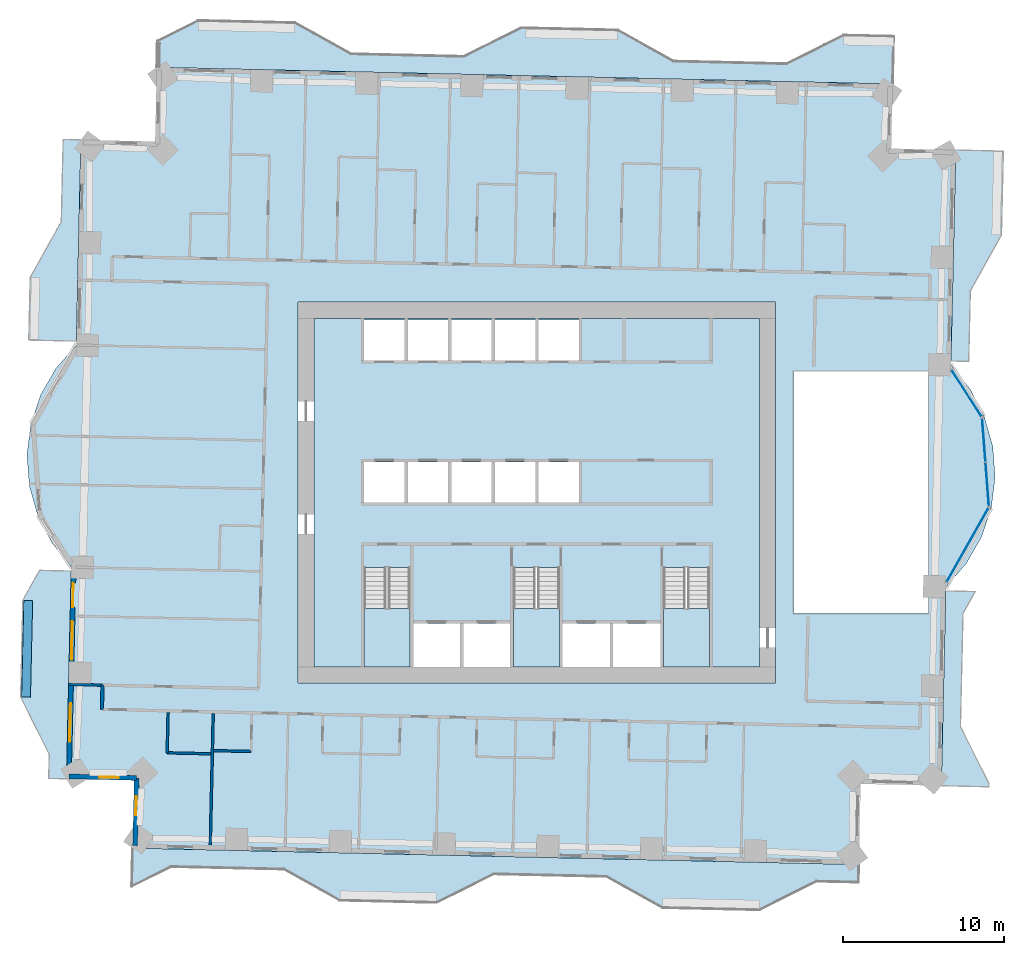
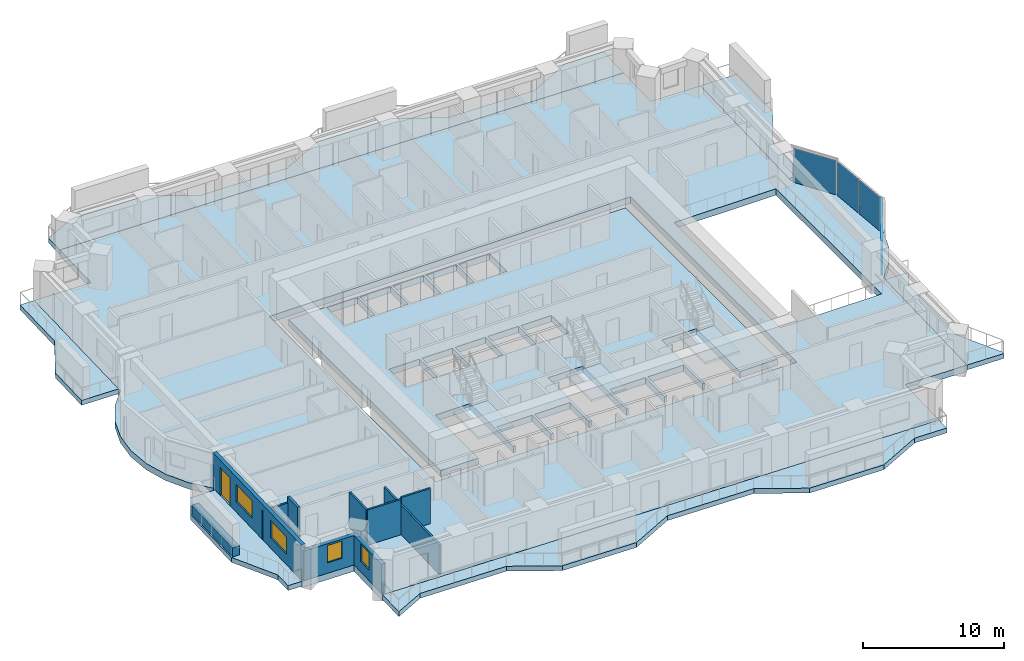
# One storey, part 5 of 16: 11 slabs, 10 walls, 4 plates, 4 windows, 1 door, 5 openings, 6 elements without a shape of their own.
"""IFC4 building model written with IfcOpenShell, lengths in metres."""

from ifc_helpers import new_model, si_unit, direction, frame, frame_2d, origin, origin_2d, place, context, subcontext, project, spatial, polyline, rectangle, outline, extrude, material, layer, layer_set, type_object, element, fill, aggregate, save


model = new_model("IFC4")

# Units and contexts
model_context = context("Model", 3, precision=1e-05, world=origin(), true_north=direction((0.0, 1.0)))
body_context = subcontext(model_context, "Body", "Model", "MODEL_VIEW")
ifc_project = project(units=[si_unit("LENGTHUNIT", "METRE"), si_unit("AREAUNIT", "SQUARE_METRE"), si_unit("VOLUMEUNIT", "CUBIC_METRE"), si_unit("PLANEANGLEUNIT", "RADIAN"), si_unit("MASSUNIT", "GRAM", prefix="KILO")], contexts=[model_context])

# Site, building, storey
site_placement = place(None, origin())
site = spatial("IfcSite", under=ifc_project, at=site_placement, CompositionType="ELEMENT")
building_placement = place(site_placement, origin())
building = spatial("IfcBuilding", under=site, at=building_placement, Name="Mangrove Gate Tower", CompositionType="ELEMENT")
storey_placement = place(building_placement, frame((0.0, 0.0, 101.89990234375)))
storey = spatial("IfcBuildingStorey", under=building, at=storey_placement, Name="L25", CompositionType="ELEMENT", Elevation=101.89990234375)

# Curtain wall, plate
ifc_material_1 = material(Name="Aluminium and glass curtain wall", Category="aluminium")
curtain_wall_type = type_object("IfcCurtainWallType", Name="Atrium garden-court glazing wall", PredefinedType="NOTDEFINED", material=ifc_material_1)
curtain_wall_1_placement = place(storey_placement, origin())
curtain_wall_1 = element("IfcCurtainWall", 1, at=curtain_wall_1_placement, inside=storey, type_object=curtain_wall_type, Name="Atrium garden-court glazing E1f1", PredefinedType="NOTDEFINED")
ifc_material_2 = material(Name="Laminated low-e glass", Category="glass")
ifc_layer_1 = layer(ifc_material_2, 0.031982421875)
ifc_layer_set_1 = layer_set([ifc_layer_1], Name="Atrium garden-court glazing panel 32")
plate_type = type_object("IfcPlateType", Name="Atrium garden-court glazing panel 32", PredefinedType="CURTAIN_PANEL", material=ifc_layer_set_1)
plate_1_placement = place(storey_placement, frame((26.68603515625, -3.244873046875, 0.0), z_axis=(0.0, 0.0, 1.0), x_axis=(0.492584614745, 0.870264555935, 0.0)))
plate_1 = element("IfcPlate", 2, at=plate_1_placement, type_object=plate_type, Name="CWA panel 1.1", PredefinedType="CURTAIN_PANEL", context=body_context, shape_type="SweptSolid", body=[
    extrude(rectangle(XDim=5.258056640625, YDim=0.031982421875, at=origin_2d()), origin(), (0.0, 0.0, 1.0), 2.97998046875),
])
aggregate(curtain_wall_1, [plate_1])

# Curtain wall, plates
curtain_wall_2_placement = place(storey_placement, origin())
curtain_wall_2 = element("IfcCurtainWall", 3, at=curtain_wall_2_placement, inside=storey, type_object=curtain_wall_type, Name="Atrium garden-court glazing E1f2", PredefinedType="NOTDEFINED")
plate_2_placement = place(storey_placement, frame((27.906982421875, 0.5107421875, 0.0), z_axis=(0.0, 0.0, 1.0), x_axis=(-0.077023348229, 0.997029289353, 0.0)))
plate_2 = element("IfcPlate", 4, at=plate_2_placement, type_object=plate_type, Name="CWA panel 1.1", PredefinedType="CURTAIN_PANEL", context=body_context, shape_type="SweptSolid", body=[
    extrude(rectangle(XDim=2.681640625, YDim=0.031982421875, at=origin_2d()), origin(), (0.0, 0.0, 1.0), 2.97998046875),
])
plate_3_placement = place(storey_placement, frame((27.69482421875, 3.25439453125, 0.0), z_axis=(0.0, 0.0, 1.0), x_axis=(-0.077023348229, 0.997029289353, 0.0)))
plate_3 = element("IfcPlate", 5, at=plate_3_placement, type_object=plate_type, Name="CWA panel 2.1", PredefinedType="CURTAIN_PANEL", context=body_context, shape_type="SweptSolid", body=[
    extrude(rectangle(XDim=2.681640625, YDim=0.031982421875, at=origin_2d()), origin(), (0.0, 0.0, 1.0), 2.97998046875),
])
aggregate(curtain_wall_2, [plate_2, plate_3])

# Curtain wall, plate
curtain_wall_3_placement = place(storey_placement, origin())
curtain_wall_3 = element("IfcCurtainWall", 6, at=curtain_wall_3_placement, inside=storey, type_object=curtain_wall_type, Name="Atrium garden-court glazing E1f3", PredefinedType="NOTDEFINED")
plate_4_placement = place(storey_placement, frame((26.621826171875, 6.162109375, 0.0), z_axis=(0.0, 0.0, 1.0), x_axis=(-0.540510523896, 0.841337253162, 0.0)))
plate_4 = element("IfcPlate", 7, at=plate_4_placement, type_object=plate_type, Name="CWA panel 1.1", PredefinedType="CURTAIN_PANEL", context=body_context, shape_type="SweptSolid", body=[
    extrude(rectangle(XDim=3.428466796875, YDim=0.031982421875, at=origin_2d()), origin(), (0.0, 0.0, 1.0), 2.97998046875),
])
aggregate(curtain_wall_3, [plate_4])

# Slabs
ifc_material_3 = material(Name="Porcelain tile")
ifc_layer_2 = layer(ifc_material_3, 0.02001953125, Name="Tile finish")
ifc_material_4 = material(Name="Cement sand screed")
ifc_layer_3 = layer(ifc_material_4, 0.0400390625, Name="Screed laid to falls")
ifc_material_5 = material(Name="Bituminous waterproofing membrane")
ifc_layer_4 = layer(ifc_material_5, 0.00390625, Name="Waterproofing")
ifc_material_6 = material(Name="Concrete C40/50", Category="concrete")
ifc_layer_5 = layer(ifc_material_6, 0.340087890625, Name="Balcony structural slab")
ifc_material_7 = material(Name="Limestone", Category="masonry")
ifc_layer_6 = layer(ifc_material_7, 0.01611328125, Name="Soffit lining")
ifc_layer_set_2 = layer_set([ifc_layer_2, ifc_layer_3, ifc_layer_4, ifc_layer_5, ifc_layer_6], Name="Balcony slab 420 C40/50")
slab_type_1 = type_object("IfcSlabType", Name="Balcony slab 420 C40/50", PredefinedType="FLOOR", material=ifc_layer_set_2)
slab_1_placement = place(storey_placement, frame((0.0, 0.0, -0.419921875)))
element("IfcSlab", 8, at=slab_1_placement, inside=storey, type_object=slab_type_1, Name="BALCONY L25 E0", PredefinedType="FLOOR", context=body_context, shape_type="SweptSolid", body=[
    extrude(outline(polyline([(28.051025390625, -18.22802734375), (28.054931640625, -18.028076171875), (26.284912109375, -14.487060546875), (26.444091796875, -7.489013671875), (27.201904296875, -6.131103515625), (25.3349609375, -6.087890625), (25.303955078125, -7.462890625), (25.14501953125, -14.4609375), (25.06591796875, -17.9599609375), (25.06103515625, -18.159912109375), (28.051025390625, -18.22802734375)])), origin(), (0.0, 0.0, 1.0), 0.419921875),
])
slab_2_placement = place(storey_placement, frame((0.0, 0.0, -0.419921875)))
element("IfcSlab", 9, at=slab_2_placement, inside=storey, type_object=slab_type_1, Name="BALCONY L25 E1", PredefinedType="FLOOR", context=body_context, shape_type="SweptSolid", body=[
    extrude(outline(polyline([(26.798095703125, 8.133056640625), (26.89794921875, 12.506103515625), (28.826904296875, 15.962890625), (28.945068359375, 21.162109375), (25.955078125, 21.22998046875), (25.8369140625, 16.031005859375), (25.758056640625, 12.531982421875), (25.658935546875, 8.158935546875), (26.798095703125, 8.133056640625)])), origin(), (0.0, 0.0, 1.0), 0.419921875),
])
slab_3_placement = place(storey_placement, frame((0.0, 0.0, -0.419921875)))
element("IfcSlab", 10, at=slab_3_placement, inside=storey, type_object=slab_type_1, Name="BALCONY L25 N0", PredefinedType="FLOOR", context=body_context, shape_type="SweptSolid", body=[
    extrude(outline(polyline([(22.114990234375, 28.30908203125), (19.011962890625, 28.37890625), (15.470947265625, 26.60888671875), (8.471923828125, 26.76806640625), (5.014892578125, 28.697021484375), (-0.98291015625, 28.8330078125), (-4.52392578125, 27.06396484375), (-11.52197265625, 27.221923828125), (-14.97998046875, 29.15087890625), (-20.97802734375, 29.287109375), (-23.510986328125, 28.02001953125), (-23.549072265625, 26.35400390625), (22.047119140625, 25.320068359375), (22.114990234375, 28.30908203125)])), origin(), (0.0, 0.0, 1.0), 0.419921875),
])
slab_4_placement = place(storey_placement, frame((0.0, 0.0, -0.419921875)))
element("IfcSlab", 11, at=slab_4_placement, inside=storey, type_object=slab_type_1, Name="BALCONY L25 W0", PredefinedType="FLOOR", context=body_context, shape_type="SweptSolid", body=[
    extrude(outline(polyline([(-29.39208984375, 21.885986328125), (-29.508056640625, 16.787109375), (-31.43701171875, 13.330078125), (-31.52490234375, 9.4560546875), (-28.534912109375, 9.387939453125), (-28.447021484375, 13.261962890625), (-28.367919921875, 16.760986328125), (-28.251953125, 21.860107421875), (-29.39208984375, 21.885986328125)])), origin(), (0.0, 0.0, 1.0), 0.419921875),
])
slab_5_placement = place(storey_placement, frame((0.0, 0.0, -0.419921875)))
element("IfcSlab", 12, at=slab_5_placement, inside=storey, type_object=slab_type_1, Name="BALCONY L25 W1", PredefinedType="FLOOR", context=body_context, shape_type="SweptSolid", body=[
    extrude(outline(polyline([(-30.85693359375, -4.81298828125), (-31.889892578125, -6.6650390625), (-32.027099609375, -12.6630859375), (-30.256103515625, -16.2041015625), (-30.2900390625, -17.7041015625), (-29.15087890625, -17.72998046875), (-29.116943359375, -16.22998046875), (-29.037109375, -12.73095703125), (-28.90087890625, -6.73291015625), (-28.85888671875, -4.85888671875), (-30.85693359375, -4.81298828125)])), origin(), (0.0, 0.0, 1.0), 0.419921875),
])
slab_6_placement = place(storey_placement, frame((0.0, 0.0, -0.419921875)))
element("IfcSlab", 13, at=slab_6_placement, inside=storey, type_object=slab_type_1, Name="BALCONY L25 S0", PredefinedType="FLOOR", context=body_context, shape_type="SweptSolid", body=[
    extrude(outline(polyline([(-25.10205078125, -24.43408203125), (-22.669921875, -23.218017578125), (-15.6708984375, -23.376953125), (-12.214111328125, -25.305908203125), (-6.216064453125, -25.44189453125), (-2.675048828125, -23.672119140625), (4.322998046875, -23.8310546875), (7.781005859375, -25.760009765625), (13.779052734375, -25.89599609375), (17.320068359375, -24.126953125), (19.923095703125, -24.18505859375), (19.948974609375, -23.044921875), (-25.047119140625, -22.02392578125), (-25.10205078125, -24.43408203125)])), origin(), (0.0, 0.0, 1.0), 0.419921875),
])
ifc_material_8 = material(Name="Concrete C40/50", Category="concrete")
ifc_layer_7 = layer(ifc_material_8, 0.550048828125)
ifc_layer_set_3 = layer_set([ifc_layer_7], Name="Core floor slab 550 C40/50")
slab_type_2 = type_object("IfcSlabType", Name="Core floor slab 550 C40/50", PredefinedType="FLOOR", material=ifc_layer_set_3)
slab_7_placement = place(storey_placement, frame((0.0, 0.0, -0.5498046875)))
element("IfcSlab", 14, at=slab_7_placement, inside=storey, type_object=slab_type_2, Name="SLAB-L25-CORE-1", PredefinedType="FLOOR", context=body_context, shape_type="SweptSolid", body=[
    extrude(outline(polyline([(-13.800048828125, -10.800048828125), (-13.800048828125, 10.800048828125), (13.800048828125, 10.800048828125), (13.800048828125, -10.800048828125), (10.699951171875, -10.800048828125), (10.699951171875, -4.653076171875), (7.85009765625, -4.653076171875), (7.85009765625, -10.800048828125), (7.64990234375, -10.800048828125), (7.64990234375, -8.10009765625), (4.72509765625, -8.10009765625), (4.72509765625, -10.800048828125), (4.52490234375, -10.800048828125), (4.52490234375, -8.10009765625), (1.60009765625, -8.10009765625), (1.60009765625, -10.800048828125), (1.39990234375, -10.800048828125), (1.39990234375, -4.653076171875), (-1.449951171875, -4.653076171875), (-1.449951171875, -10.800048828125), (-1.64990234375, -10.800048828125), (-1.64990234375, -8.10009765625), (-4.550048828125, -8.10009765625), (-4.550048828125, -10.800048828125), (-4.75, -10.800048828125), (-4.75, -8.10009765625), (-7.64990234375, -8.10009765625), (-7.64990234375, -10.800048828125), (-7.85009765625, -10.800048828125), (-7.85009765625, -4.653076171875), (-10.699951171875, -4.653076171875), (-10.699951171875, -10.800048828125), (-13.800048828125, -10.800048828125)]), holes=[polyline([(-8.199951171875, -0.60009765625), (-8.199951171875, 1.89990234375), (-10.699951171875, 1.89990234375), (-10.699951171875, -0.60009765625), (-8.199951171875, -0.60009765625)]), polyline([(-5.5, -0.60009765625), (-5.5, 1.89990234375), (-8.0, 1.89990234375), (-8.0, -0.60009765625), (-5.5, -0.60009765625)]), polyline([(-2.800048828125, -0.60009765625), (-2.800048828125, 1.89990234375), (-5.300048828125, 1.89990234375), (-5.300048828125, -0.60009765625), (-2.800048828125, -0.60009765625)]), polyline([(-8.199951171875, 8.199951171875), (-8.199951171875, 10.699951171875), (-10.699951171875, 10.699951171875), (-10.699951171875, 8.199951171875), (-8.199951171875, 8.199951171875)]), polyline([(-5.5, 8.199951171875), (-5.5, 10.699951171875), (-8.0, 10.699951171875), (-8.0, 8.199951171875), (-5.5, 8.199951171875)]), polyline([(-2.800048828125, 8.199951171875), (-2.800048828125, 10.699951171875), (-5.300048828125, 10.699951171875), (-5.300048828125, 8.199951171875), (-2.800048828125, 8.199951171875)]), polyline([(-0.10009765625, -0.60009765625), (-0.10009765625, 1.89990234375), (-2.60009765625, 1.89990234375), (-2.60009765625, -0.60009765625), (-0.10009765625, -0.60009765625)]), polyline([(2.60009765625, -0.60009765625), (2.60009765625, 1.89990234375), (0.10009765625, 1.89990234375), (0.10009765625, -0.60009765625), (2.60009765625, -0.60009765625)]), polyline([(-2.60009765625, 8.199951171875), (-0.10009765625, 8.199951171875), (-0.10009765625, 10.699951171875), (-2.60009765625, 10.699951171875), (-2.60009765625, 8.199951171875)]), polyline([(0.10009765625, 8.199951171875), (2.60009765625, 8.199951171875), (2.60009765625, 10.699951171875), (0.10009765625, 10.699951171875), (0.10009765625, 8.199951171875)])]), origin(), (0.0, 0.0, 1.0), 0.5498046875),
])

# Stair, slab
ifc_material_9 = material(Name="Concrete C40/50", Category="concrete")
stair_type = type_object("IfcStairType", Name="Core stair 1350", PredefinedType="HALF_TURN_STAIR", material=ifc_material_9)
stair_1_placement = place(storey_placement, origin())
stair_1 = element("IfcStair", 15, at=stair_1_placement, inside=storey, type_object=stair_type, Name="L25 Stair 1", PredefinedType="HALF_TURN_STAIR")
ifc_material_10 = material(Name="Concrete C40/50", Category="concrete")
ifc_layer_8 = layer(ifc_material_10, 0.199951171875)
ifc_layer_set_4 = layer_set([ifc_layer_8], Name="Core stair landing 200")
slab_type_3 = type_object("IfcSlabType", Name="Core stair landing 200", PredefinedType="LANDING", material=ifc_layer_set_4)
slab_8_placement = place(storey_placement, frame((0.0, 0.0, 1.60009765625)))
slab_8 = element("IfcSlab", 16, at=slab_8_placement, type_object=slab_type_3, Name="ST1 landing 1", PredefinedType="LANDING", context=body_context, shape_type="SweptSolid", body=[
    extrude(outline(polyline([(-10.699951171875, -7.169921875), (-10.699951171875, -10.800048828125), (-7.85009765625, -10.800048828125), (-7.85009765625, -7.169921875), (-10.699951171875, -7.169921875)])), origin(), (0.0, 0.0, 1.0), 0.199951171875),
])
aggregate(stair_1, [slab_8])

stair_2_placement = place(storey_placement, origin())
stair_2 = element("IfcStair", 17, at=stair_2_placement, inside=storey, type_object=stair_type, Name="L25 Stair 2", PredefinedType="HALF_TURN_STAIR")
slab_9_placement = place(storey_placement, frame((0.0, 0.0, 1.60009765625)))
slab_9 = element("IfcSlab", 18, at=slab_9_placement, type_object=slab_type_3, Name="ST2 landing 1", PredefinedType="LANDING", context=body_context, shape_type="SweptSolid", body=[
    extrude(outline(polyline([(-1.449951171875, -7.169921875), (-1.449951171875, -10.800048828125), (1.39990234375, -10.800048828125), (1.39990234375, -7.169921875), (-1.449951171875, -7.169921875)])), origin(), (0.0, 0.0, 1.0), 0.199951171875),
])
aggregate(stair_2, [slab_9])

stair_3_placement = place(storey_placement, origin())
stair_3 = element("IfcStair", 19, at=stair_3_placement, inside=storey, type_object=stair_type, Name="L25 Stair 3", PredefinedType="HALF_TURN_STAIR")
slab_10_placement = place(storey_placement, frame((0.0, 0.0, 1.60009765625)))
slab_10 = element("IfcSlab", 20, at=slab_10_placement, type_object=slab_type_3, Name="ST3 landing 1", PredefinedType="LANDING", context=body_context, shape_type="SweptSolid", body=[
    extrude(outline(polyline([(7.85009765625, -7.169921875), (7.85009765625, -10.800048828125), (10.699951171875, -10.800048828125), (10.699951171875, -7.169921875), (7.85009765625, -7.169921875)])), origin(), (0.0, 0.0, 1.0), 0.199951171875),
])
aggregate(stair_3, [slab_10])

# Slab
ifc_material_11 = material(Name="Concrete C40/50", Category="concrete")
ifc_layer_9 = layer(ifc_material_11, 0.550048828125)
ifc_layer_set_5 = layer_set([ifc_layer_9], Name="Floor slab 550 C40/50")
slab_type_4 = type_object("IfcSlabType", Name="Floor slab 550 C40/50", PredefinedType="FLOOR", material=ifc_layer_set_5)
slab_11_placement = place(storey_placement, frame((0.0, 0.0, -0.5498046875)))
element("IfcSlab", 21, at=slab_11_placement, inside=storey, type_object=slab_type_4, Name="Floor slab L25", PredefinedType="FLOOR", context=body_context, shape_type="SweptSolid", body=[
    extrude(outline(polyline([(-25.047119140625, -22.024169921875), (19.94921875, -23.045166015625), (20.062744140625, -18.046630859375), (25.0615234375, -18.159912109375), (25.341064453125, -5.83837890625), (26.60400390625, -4.40185546875), (27.55712890625, -2.74365234375), (28.16259765625, -0.92919921875), (28.396240234375, 0.96923828125), (28.2490234375, 2.87646484375), (27.7265625, 4.71630859375), (26.849609375, 6.416259765625), (25.653076171875, 7.90869140625), (25.955322265625, 21.22998046875), (21.956298828125, 21.320556640625), (22.047119140625, 25.319580078125), (-23.549072265625, 26.354248046875), (-23.653564453125, 21.755615234375), (-28.25244140625, 21.85986328125), (-28.541015625, 9.138427734375), (-29.803955078125, 7.701904296875), (-30.757080078125, 6.043701171875), (-31.362548828125, 4.229248046875), (-31.59619140625, 2.330810546875), (-31.448974609375, 0.423583984375), (-30.926513671875, -1.41650390625), (-30.049560546875, -3.1162109375), (-28.85302734375, -4.608642578125), (-29.15087890625, -17.72998046875), (-24.951904296875, -17.8251953125), (-25.047119140625, -22.024169921875)]), holes=[polyline([(15.89990234375, 7.5), (24.22705078125, 7.5), (24.22705078125, -7.5), (15.89990234375, -7.5), (15.89990234375, 7.5)]), polyline([(-14.800048828125, -11.800048828125), (-14.800048828125, 11.800048828125), (14.800048828125, 11.800048828125), (14.800048828125, -11.800048828125), (-14.800048828125, -11.800048828125)])]), origin(), (0.0, 0.0, 1.0), 0.5498046875),
])

# Wall
ifc_material_12 = material(Name="Gypsum board on steel stud, EI 60", Category="steel")
ifc_layer_10 = layer(ifc_material_12, 0.199951171875)
ifc_layer_set_6 = layer_set([ifc_layer_10], Name="Corridor wall EI 60")
wall_type_1 = type_object("IfcWallType", Name="Corridor wall EI 60", PredefinedType="PARTITIONING", material=ifc_layer_set_6)
wall_1_placement = place(storey_placement, frame((-26.948974609375, -13.428955078125, 0.0), z_axis=(0.0, 0.0, 1.0), x_axis=(0.022617910375, 0.999744182344, 0.0)))
element("IfcWall", 22, at=wall_1_placement, inside=storey, type_object=wall_type_1, Name="WALL-L25-023", PredefinedType="PARTITIONING", context=body_context, shape_type="SweptSolid", body=[
    extrude(rectangle(XDim=1.50048828125, YDim=0.199951171875, at=frame_2d((0.750244140625, 0.0))), origin(), (0.0, 0.0, 1.0), 3.050048828125),
])

# Wall, openings, door, windows
ifc_layer_11 = layer(ifc_material_7, 0.0400390625, Name="Limestone cladding")
ifc_material_13 = material(Name="Ventilated air gap")
ifc_layer_12 = layer(ifc_material_13, 0.0400390625, Name="Ventilated cavity")
ifc_material_14 = material(Name="Mineral wool insulation")
ifc_layer_13 = layer(ifc_material_14, 0.06005859375, Name="Insulation")
ifc_material_15 = material(Name="Breather membrane")
ifc_layer_14 = layer(ifc_material_15, 0.001953125, Name="Breather membrane")
ifc_material_16 = material(Name="Concrete C20/25 blockwork", Category="masonry")
ifc_layer_15 = layer(ifc_material_16, 0.14990234375, Name="Blockwork backing wall")
ifc_material_17 = material(Name="Gypsum plaster")
ifc_layer_16 = layer(ifc_material_17, 0.008056640625, Name="Internal plaster")
ifc_layer_set_7 = layer_set([ifc_layer_11, ifc_layer_12, ifc_layer_13, ifc_layer_14, ifc_layer_15, ifc_layer_16], Name="External wall 300 limestone cladding")
wall_type_2 = type_object("IfcWallType", Name="External wall 300 limestone cladding", PredefinedType="SOLIDWALL", material=ifc_layer_set_7)
wall_2_placement = place(storey_placement, frame((-28.701904296875, -4.556884765625, 0.0), z_axis=(0.0, 0.0, 1.0), x_axis=(-0.022653729471, -0.999743371341, 0.0)))
wall_2 = element("IfcWall", 23, at=wall_2_placement, inside=storey, type_object=wall_type_2, Name="WALL-L25-W10", PredefinedType="SOLIDWALL", context=body_context, shape_type="SweptSolid", body=[
    extrude(rectangle(XDim=13.029541015625, YDim=0.300048828125, at=frame_2d((6.5146484375, 0.0))), origin(), (0.0, 0.0, 1.0), 3.050048828125),
])
opening_1_placement = place(wall_2_placement, frame((1.0419921875, 0.0, 0.0)))
opening_1 = element("IfcOpeningElement", 24, at=opening_1_placement, cuts=wall_2, Name="Opening BD1", PredefinedType="OPENING", context=body_context, shape_type="SweptSolid", body=[
    extrude(rectangle(XDim=1.5, YDim=2.39990234375, at=frame_2d((0.75, 1.199951171875))), frame((0.0, 0.159912109375, 0.0), z_axis=(0.0, -1.0, 0.0), x_axis=(1.0, 0.0, 0.0)), (0.0, 0.0, 1.0), 0.320068359375),
])
opening_2_placement = place(wall_2_placement, frame((3.39794921875, 0.0, 0.89990234375)))
opening_2 = element("IfcOpeningElement", 25, at=opening_2_placement, cuts=wall_2, Name="Opening W2", PredefinedType="OPENING", context=body_context, shape_type="SweptSolid", body=[
    extrude(rectangle(XDim=2.39990234375, YDim=1.5, at=frame_2d((1.199951171875, 0.75))), frame((0.0, 0.159912109375, 0.0), z_axis=(0.0, -1.0, 0.0), x_axis=(1.0, 0.0, 0.0)), (0.0, 0.0, 1.0), 0.320068359375),
])
opening_3_placement = place(wall_2_placement, frame((8.48193359375, 0.0, 0.89990234375)))
opening_3 = element("IfcOpeningElement", 26, at=opening_3_placement, cuts=wall_2, Name="Opening W2", PredefinedType="OPENING", context=body_context, shape_type="SweptSolid", body=[
    extrude(rectangle(XDim=2.39990234375, YDim=1.5, at=frame_2d((1.199951171875, 0.75))), frame((0.0, 0.159912109375, 0.0), z_axis=(0.0, -1.0, 0.0), x_axis=(1.0, 0.0, 0.0)), (0.0, 0.0, 1.0), 0.320068359375),
])
ifc_material_18 = material(Name="Aluminium frame with laminated clear glass", Category="aluminium")
door_type = type_object("IfcDoorType", Name="Balcony sliding door 1500x2400", OperationType="SLIDING_TO_LEFT", PredefinedType="DOOR", material=ifc_material_18)
door_placement = place(opening_1_placement, origin())
door = element("IfcDoor", 27, at=door_placement, inside=storey, type_object=door_type, Name="DOOR-L25-W10-1", OperationType="SLIDING_TO_LEFT", OverallHeight=2.39990234375, OverallWidth=1.5, PredefinedType="DOOR", context=body_context, shape_type="SweptSolid", body=[
    extrude(rectangle(XDim=1.5, YDim=2.39990234375, at=frame_2d((0.75, 1.199951171875))), frame((0.0, 0.02490234375, 0.0), z_axis=(0.0, -1.0, 0.0), x_axis=(1.0, 0.0, 0.0)), (0.0, 0.0, 1.0), 0.050048828125),
])
fill(opening_1, door)
ifc_material_19 = material(Name="Aluminium frame with double-glazed low-e glass", Category="aluminium")
window_type_1 = type_object("IfcWindowType", Name="Corner room window 2400x1500", PartitioningType="DOUBLE_PANEL_VERTICAL", PredefinedType="WINDOW", material=ifc_material_19)
window_1_placement = place(opening_2_placement, origin())
window_1 = element("IfcWindow", 28, at=window_1_placement, inside=storey, type_object=window_type_1, Name="WIN-L25-W10-2", OverallHeight=1.5, OverallWidth=2.39990234375, PartitioningType="DOUBLE_PANEL_VERTICAL", PredefinedType="WINDOW", context=body_context, shape_type="SweptSolid", body=[
    extrude(rectangle(XDim=2.39990234375, YDim=1.5, at=frame_2d((1.199951171875, 0.75))), frame((0.0, 0.030029296875, 0.0), z_axis=(0.0, -1.0, 0.0), x_axis=(1.0, 0.0, 0.0)), (0.0, 0.0, 1.0), 0.06005859375),
])
fill(opening_2, window_1)
window_2_placement = place(opening_3_placement, origin())
window_2 = element("IfcWindow", 29, at=window_2_placement, inside=storey, type_object=window_type_1, Name="WIN-L25-W10-3", OverallHeight=1.5, OverallWidth=2.39990234375, PartitioningType="DOUBLE_PANEL_VERTICAL", PredefinedType="WINDOW", context=body_context, shape_type="SweptSolid", body=[
    extrude(rectangle(XDim=2.39990234375, YDim=1.5, at=frame_2d((1.199951171875, 0.75))), frame((0.0, 0.030029296875, 0.0), z_axis=(0.0, -1.0, 0.0), x_axis=(1.0, 0.0, 0.0)), (0.0, 0.0, 1.0), 0.06005859375),
])
fill(opening_3, window_2)

# Wall, opening, window
wall_3_placement = place(storey_placement, frame((-28.9970703125, -17.5830078125, 0.0), z_axis=(0.0, 0.0, 1.0), x_axis=(0.999739037152, -0.022844202663, 0.0)))
wall_3 = element("IfcWall", 30, at=wall_3_placement, inside=storey, type_object=wall_type_2, Name="WALL-L25-S11", PredefinedType="SOLIDWALL", context=body_context, shape_type="SweptSolid", body=[
    extrude(rectangle(XDim=4.199951171875, YDim=0.300048828125, at=frame_2d((2.10009765625, 0.0))), origin(), (0.0, 0.0, 1.0), 2.550048828125),
])
opening_4_placement = place(wall_3_placement, frame((1.881103515625, 0.0, 0.89990234375)))
opening_4 = element("IfcOpeningElement", 31, at=opening_4_placement, cuts=wall_3, Name="Opening W1", PredefinedType="OPENING", context=body_context, shape_type="SweptSolid", body=[
    extrude(rectangle(XDim=1.199951171875, YDim=1.5, at=frame_2d((0.60009765625, 0.75))), frame((0.0, 0.159912109375, 0.0), z_axis=(0.0, -1.0, 0.0), x_axis=(1.0, 0.0, 0.0)), (0.0, 0.0, 1.0), 0.320068359375),
])
ifc_material_20 = material(Name="Aluminium frame with double-glazed low-e glass", Category="aluminium")
window_type_2 = type_object("IfcWindowType", Name="Side lite 1200x1500", PartitioningType="SINGLE_PANEL", PredefinedType="WINDOW", material=ifc_material_20)
window_3_placement = place(opening_4_placement, origin())
window_3 = element("IfcWindow", 32, at=window_3_placement, inside=storey, type_object=window_type_2, Name="WIN-L25-S11-1", OverallHeight=1.5, OverallWidth=1.199951171875, PartitioningType="SINGLE_PANEL", PredefinedType="WINDOW", context=body_context, shape_type="SweptSolid", body=[
    extrude(rectangle(XDim=1.199951171875, YDim=1.5, at=frame_2d((0.60009765625, 0.75))), frame((0.0, 0.030029296875, 0.0), z_axis=(0.0, -1.0, 0.0), x_axis=(1.0, 0.0, 0.0)), (0.0, 0.0, 1.0), 0.06005859375),
])
fill(opening_4, window_3)

wall_4_placement = place(storey_placement, frame((-24.798095703125, -17.678955078125, 0.0), z_axis=(0.0, 0.0, 1.0), x_axis=(-0.022844202663, -0.999739037152, 0.0)))
wall_4 = element("IfcWall", 33, at=wall_4_placement, inside=storey, type_object=wall_type_2, Name="WALL-L25-W12", PredefinedType="SOLIDWALL", context=body_context, shape_type="SweptSolid", body=[
    extrude(rectangle(XDim=4.199951171875, YDim=0.300048828125, at=frame_2d((2.10009765625, 0.0))), origin(), (0.0, 0.0, 1.0), 2.550048828125),
])
opening_5_placement = place(wall_4_placement, frame((1.1201171875, 0.0, 0.89990234375)))
opening_5 = element("IfcOpeningElement", 34, at=opening_5_placement, cuts=wall_4, Name="Opening W1", PredefinedType="OPENING", context=body_context, shape_type="SweptSolid", body=[
    extrude(rectangle(XDim=1.199951171875, YDim=1.5, at=frame_2d((0.60009765625, 0.75))), frame((0.0, 0.159912109375, 0.0), z_axis=(0.0, -1.0, 0.0), x_axis=(1.0, 0.0, 0.0)), (0.0, 0.0, 1.0), 0.320068359375),
])
window_4_placement = place(opening_5_placement, origin())
window_4 = element("IfcWindow", 35, at=window_4_placement, inside=storey, type_object=window_type_2, Name="WIN-L25-W12-1", OverallHeight=1.5, OverallWidth=1.199951171875, PartitioningType="SINGLE_PANEL", PredefinedType="WINDOW", context=body_context, shape_type="SweptSolid", body=[
    extrude(rectangle(XDim=1.199951171875, YDim=1.5, at=frame_2d((0.60009765625, 0.75))), frame((0.0, 0.030029296875, 0.0), z_axis=(0.0, -1.0, 0.0), x_axis=(1.0, 0.0, 0.0)), (0.0, 0.0, 1.0), 0.06005859375),
])
fill(opening_5, window_4)

# Walls
ifc_material_21 = material(Name="Gypsum board on steel stud, EI 60", Category="steel")
ifc_layer_17 = layer(ifc_material_21, 0.14990234375)
ifc_layer_set_8 = layer_set([ifc_layer_17], Name="Party wall 150 EI 60")
wall_type_3 = type_object("IfcWallType", Name="Party wall 150 EI 60", PredefinedType="PARTITIONING", material=ifc_layer_set_8)
wall_5_placement = place(storey_placement, frame((-20.238037109375, -21.833984375, 0.0), z_axis=(0.0, 0.0, 1.0), x_axis=(0.0227037155, 0.99974223743, 0.0)))
element("IfcWall", 36, at=wall_5_placement, inside=storey, type_object=wall_type_3, Name="WALL-L25-001", PredefinedType="PARTITIONING", context=body_context, shape_type="SweptSolid", body=[
    extrude(rectangle(XDim=8.151123046875, YDim=0.14990234375, at=frame_2d((4.07568359375, 0.0))), origin(), (0.0, 0.0, 1.0), 2.550048828125),
])
wall_6_placement = place(storey_placement, frame((-22.9130859375, -16.12109375, 0.0), z_axis=(0.0, 0.0, 1.0), x_axis=(0.999741187782, -0.022749889061, 0.0)))
element("IfcWall", 37, at=wall_6_placement, inside=storey, type_object=wall_type_3, Name="WALL-L25-009", PredefinedType="PARTITIONING", context=body_context, shape_type="SweptSolid", body=[
    extrude(rectangle(XDim=2.725830078125, YDim=0.14990234375, at=frame_2d((1.36279296875, 0.0))), origin(), (0.0, 0.0, 1.0), 3.050048828125),
])
wall_7_placement = place(storey_placement, frame((-22.908935546875, -16.12109375, 0.0), z_axis=(0.0, 0.0, 1.0), x_axis=(0.022756903044, 0.999741028149, 0.0)))
element("IfcWall", 38, at=wall_7_placement, inside=storey, type_object=wall_type_3, Name="WALL-L25-010", PredefinedType="PARTITIONING", context=body_context, shape_type="SweptSolid", body=[
    extrude(rectangle(XDim=2.499755859375, YDim=0.14990234375, at=frame_2d((1.25, 0.0))), origin(), (0.0, 0.0, 1.0), 3.050048828125),
])
wall_8_placement = place(storey_placement, frame((-20.033935546875, -15.986083984375, 0.0), z_axis=(0.0, 0.0, 1.0), x_axis=(0.999740478815, -0.022781023197, 0.0)))
element("IfcWall", 39, at=wall_8_placement, inside=storey, type_object=wall_type_3, Name="WALL-L25-011", PredefinedType="PARTITIONING", context=body_context, shape_type="SweptSolid", body=[
    extrude(rectangle(XDim=2.325439453125, YDim=0.14990234375, at=frame_2d((1.16259765625, 0.0))), origin(), (0.0, 0.0, 1.0), 3.050048828125),
])
wall_9_placement = place(storey_placement, frame((-29.01806640625, -11.881103515625, 0.0), z_axis=(0.0, 0.0, 1.0), x_axis=(0.999741236023, -0.022747769011, 0.0)))
element("IfcWall", 40, at=wall_9_placement, inside=storey, type_object=wall_type_3, Name="WALL-L25-025", PredefinedType="PARTITIONING", context=body_context, shape_type="SweptSolid", body=[
    extrude(rectangle(XDim=2.103515625, YDim=0.14990234375, at=frame_2d((1.0517578125, 0.0))), origin(), (0.0, 0.0, 1.0), 2.550048828125),
])
ifc_material_22 = material(Name="Concrete C32/40", Category="concrete")
ifc_layer_18 = layer(ifc_material_22, 0.199951171875, Name="Planter trough wall")
ifc_layer_19 = layer(ifc_material_5, 0.0048828125, Name="Waterproofing")
ifc_material_23 = material(Name="Drainage board and gravel")
ifc_layer_20 = layer(ifc_material_23, 0.044921875, Name="Drainage layer")
ifc_material_24 = material(Name="Planting soil")
ifc_layer_21 = layer(ifc_material_24, 0.300048828125, Name="Growing medium")
ifc_layer_set_9 = layer_set([ifc_layer_18, ifc_layer_19, ifc_layer_20, ifc_layer_21], Name="Planter wall 550 C32/40")
wall_type_4 = type_object("IfcWallType", Name="Planter wall 550 C32/40", PredefinedType="USERDEFINED", material=ifc_layer_set_9)
wall_10_placement = place(storey_placement, frame((-31.652099609375, -12.672119140625, 0.0), z_axis=(0.0, 0.0, 1.0), x_axis=(0.022662255828, 0.999743178102, 0.0)))
element("IfcWall", 41, at=wall_10_placement, inside=storey, type_object=wall_type_4, Name="PLANTER L25 W1.1", ObjectType="PLANTER", PredefinedType="USERDEFINED", context=body_context, shape_type="SweptSolid", body=[
    extrude(rectangle(XDim=6.00048828125, YDim=0.550048828125, at=frame_2d((3.000244140625, 0.0))), origin(), (0.0, 0.0, 1.0), 0.800048828125),
])

save(model, "model.ifc")
